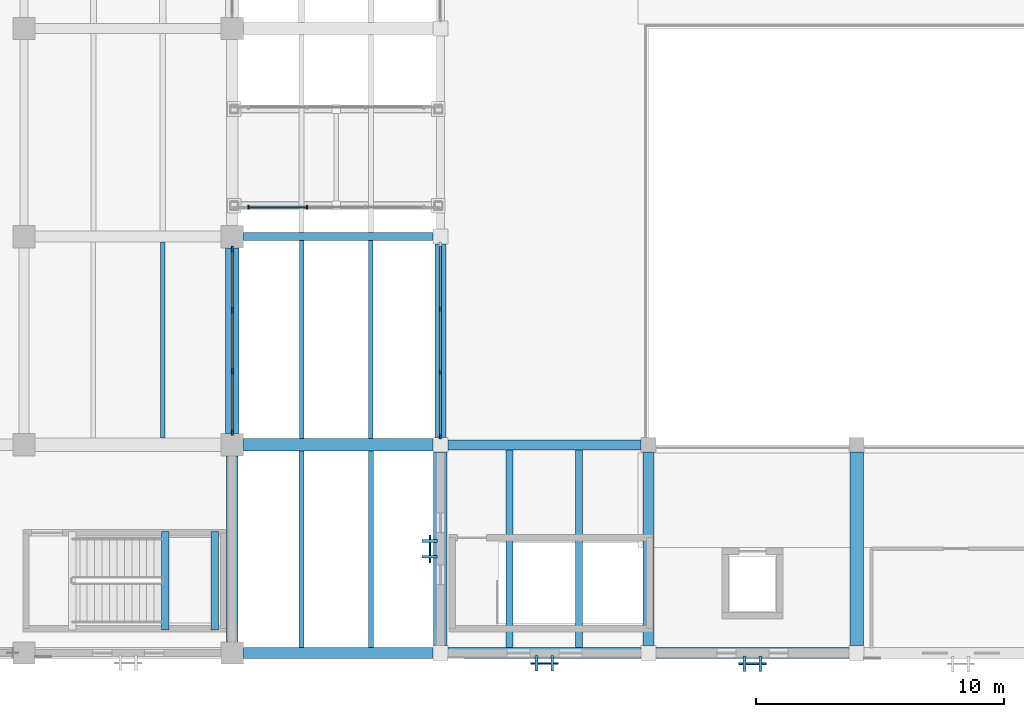
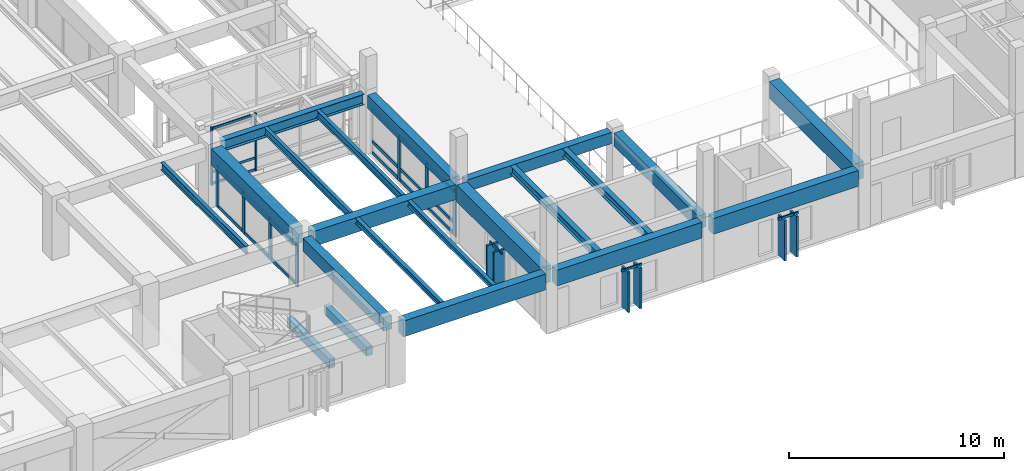
# One storey, part 20 of 118: 36 members, 21 beams, 6 elements without a shape of their own.
"""IFC4 building model written with IfcOpenShell, lengths in metres."""

from ifc_helpers import new_model, si_unit, direction, frame, origin, origin_2d, place, context, subcontext, project, spatial, rectangle, i_section, extrude, material, material_profile, profile_set, type_object, element, aggregate, save


model = new_model("IFC4")

# Units and contexts
model_context = context("Model", 3, precision=1e-05, world=origin(), true_north=direction((0.0, 1.0)))
body_context = subcontext(model_context, "Body", "Model", "MODEL_VIEW")
ifc_project = project(units=[si_unit("LENGTHUNIT", "METRE"), si_unit("AREAUNIT", "SQUARE_METRE"), si_unit("VOLUMEUNIT", "CUBIC_METRE"), si_unit("PLANEANGLEUNIT", "RADIAN"), si_unit("MASSUNIT", "GRAM", prefix="KILO")], contexts=[model_context])

# Site, building, storey
site_placement = place(None, origin())
site = spatial("IfcSite", under=ifc_project, at=site_placement, CompositionType="ELEMENT")
building_placement = place(site_placement, origin())
building = spatial("IfcBuilding", under=site, at=building_placement, Name="Cumbredor Promenade Congress Hotel", CompositionType="ELEMENT")
storey_placement = place(building_placement, frame((0.0, 0.0, 3.919921875)))
storey = spatial("IfcBuildingStorey", under=building, at=storey_placement, Name="L01", CompositionType="ELEMENT", Elevation=3.919921875)

# Beams
ifc_material_1 = material(Name="Concrete C40/50", Category="concrete")
ifc_material_profile_1 = material_profile(ifc_material_1, rectangle(XDim=0.39990234375, YDim=0.64990234375, at=origin_2d()), Name="RC BEAM 400x650")
ifc_profile_set_1 = profile_set([ifc_material_profile_1], Name="Concrete C40/50")
beam_type_1 = type_object("IfcBeamType", Name="BM-RC-400x650", PredefinedType="BEAM", material=ifc_profile_set_1)
beam_1_placement = place(storey_placement, frame((75.89990234375, 16.800048828125, 3.03515625), z_axis=(1.0, 0.0, 0.0), x_axis=(0.0, 1.0, 0.0)))
element("IfcBeam", 1, at=beam_1_placement, inside=storey, type_object=beam_type_1, Name="L02 X-Grid Beam 137", PredefinedType="BEAM", context=body_context, shape_type="SweptSolid", body=[
    extrude(rectangle(XDim=0.39990234375, YDim=0.64990234375, at=origin_2d()), origin(), (0.0, 0.0, 1.0), 7.800048828125),
])
ifc_material_profile_2 = material_profile(ifc_material_1, rectangle(XDim=0.449951171875, YDim=0.75, at=origin_2d()), Name="RC BEAM 450x750")
ifc_profile_set_2 = profile_set([ifc_material_profile_2], Name="Concrete C40/50")
beam_type_2 = type_object("IfcBeamType", Name="BM-RC-450x750", PredefinedType="BEAM", material=ifc_profile_set_2)
beam_2_placement = place(storey_placement, frame((67.199951171875, 8.85009765625, 2.985107421875), z_axis=(0.0, 1.0, 0.0), x_axis=(-1.0, 0.0, 0.0)))
element("IfcBeam", 2, at=beam_2_placement, inside=storey, type_object=beam_type_2, Name="L02 Y-Grid Beam 114", PredefinedType="BEAM", context=body_context, shape_type="SweptSolid", body=[
    extrude(rectangle(XDim=0.449951171875, YDim=0.75, at=origin_2d()), origin(), (0.0, 0.0, 1.0), 7.5),
])
beam_3_placement = place(storey_placement, frame((75.60009765625, 17.10009765625, 2.985107421875), z_axis=(0.0, 1.0, 0.0), x_axis=(-1.0, 0.0, 0.0)))
element("IfcBeam", 3, at=beam_3_placement, inside=storey, type_object=beam_type_2, Name="L02 Y-Grid Beam 138", PredefinedType="BEAM", context=body_context, shape_type="SweptSolid", body=[
    extrude(rectangle(XDim=0.449951171875, YDim=0.75, at=origin_2d()), origin(), (0.0, 0.0, 1.0), 7.7998046875),
])
beam_4_placement = place(storey_placement, frame((84.0, 8.699951171875, 2.985107421875), z_axis=(0.0, 1.0, 0.0), x_axis=(-1.0, 0.0, 0.0)))
element("IfcBeam", 4, at=beam_4_placement, inside=storey, type_object=beam_type_2, Name="L02 Y-Grid Beam 154", PredefinedType="BEAM", context=body_context, shape_type="SweptSolid", body=[
    extrude(rectangle(XDim=0.449951171875, YDim=0.75, at=origin_2d()), origin(), (0.0, 0.0, 1.0), 7.800048828125),
])
ifc_material_profile_3 = material_profile(ifc_material_1, rectangle(XDim=0.5, YDim=0.85009765625, at=origin_2d()), Name="RC BEAM 500x850")
ifc_profile_set_3 = profile_set([ifc_material_profile_3], Name="Concrete C40/50")
beam_type_3 = type_object("IfcBeamType", Name="BM-RC-500x850", PredefinedType="BEAM", material=ifc_profile_set_3)
beam_5_placement = place(storey_placement, frame((67.64990234375, 16.800048828125, 2.93505859375), z_axis=(1.0, 0.0, 0.0), x_axis=(0.0, 1.0, 0.0)))
element("IfcBeam", 5, at=beam_5_placement, inside=storey, type_object=beam_type_3, Name="L02 X-Grid Beam 115", PredefinedType="BEAM", context=body_context, shape_type="SweptSolid", body=[
    extrude(rectangle(XDim=0.5, YDim=0.85009765625, at=origin_2d()), origin(), (0.0, 0.0, 1.0), 7.650146484375),
])
ifc_material_profile_4 = material_profile(ifc_material_1, rectangle(XDim=0.550048828125, YDim=0.949951171875, at=origin_2d()), Name="RC BEAM 550x950")
ifc_profile_set_4 = profile_set([ifc_material_profile_4], Name="Concrete C40/50")
beam_type_4 = type_object("IfcBeamType", Name="BM-RC-550x950", PredefinedType="BEAM", material=ifc_profile_set_4)
beam_6_placement = place(storey_placement, frame((67.199951171875, 17.25, 2.885009765625), z_axis=(0.0, 1.0, 0.0), x_axis=(-1.0, 0.0, 0.0)))
element("IfcBeam", 6, at=beam_6_placement, inside=storey, type_object=beam_type_4, Name="L02 Y-Grid Beam 116", PredefinedType="BEAM", context=body_context, shape_type="SweptSolid", body=[
    extrude(rectangle(XDim=0.550048828125, YDim=0.949951171875, at=origin_2d()), origin(), (0.0, 0.0, 1.0), 7.5),
])
for number, where, z_axis, x_axis, name in (
    (7, (75.60009765625, 8.699951171875, 2.885009765625), (0.0, 1.0, 0.0), (-1.0, 0.0, 0.0), "L02 Y-Grid Beam 136"),
    (8, (92.39990234375, 8.699951171875, 2.885009765625), (0.0, 1.0, 0.0), (-1.0, 0.0, 0.0), "L02 Y-Grid Beam 168"),
):
    element("IfcBeam", number, at=place(storey_placement, frame(where, z_axis=z_axis, x_axis=x_axis)), inside=storey, type_object=beam_type_4, Name=name, PredefinedType="BEAM", context=body_context, shape_type="SweptSolid", body=[
        extrude(rectangle(XDim=0.550048828125, YDim=0.949951171875, at=origin_2d()), origin(), (0.0, 0.0, 1.0), 7.800048828125),
    ])
ifc_material_2 = material(Name="Steel ASTM A992 Grade 50", Category="steel")
ifc_material_profile_5 = material_profile(ifc_material_2, i_section(OverallWidth=0.323974609375, OverallDepth=0.611083984375, WebThickness=0.0126953125, FlangeThickness=0.01904296875, at=origin_2d()), Name="W24X104")
ifc_profile_set_5 = profile_set([ifc_material_profile_5], Name="Steel ASTM A992 Grade 50")
beam_type_5 = type_object("IfcBeamType", Name="BM-W24X104", PredefinedType="BEAM", material=ifc_profile_set_5)
beam_7_placement = place(storey_placement, frame((67.64990234375, 25.199951171875, 3.0546875), z_axis=(1.0, 0.0, 0.0), x_axis=(0.0, 1.0, 0.0)))
element("IfcBeam", 9, at=beam_7_placement, inside=storey, type_object=beam_type_5, Name="L02 X-Grid Beam 117", PredefinedType="BEAM", context=body_context, shape_type="SweptSolid", body=[
    extrude(i_section(OverallWidth=0.323974609375, OverallDepth=0.611083984375, WebThickness=0.0126953125, FlangeThickness=0.01904296875, at=origin_2d()), origin(), (0.0, 0.0, 1.0), 7.650146484375),
])

# Curtain wall, members
ifc_material_3 = material(Name="Thermally broken anodized aluminium and low-E glass", Category="aluminium")
curtain_wall_type_1 = type_object("IfcCurtainWallType", Name="Unitised Bridge Glazing Screen CW-05", PredefinedType="NOTDEFINED", material=ifc_material_3)
curtain_wall_1_placement = place(storey_placement, origin())
curtain_wall_1 = element("IfcCurtainWall", 10, at=curtain_wall_1_placement, inside=storey, type_object=curtain_wall_type_1, Name="L01 Central Plenary-to-Spa Pool Bridge South Glazing Screen", PredefinedType="NOTDEFINED")
ifc_material_4 = material(Name="Thermally broken anodized aluminium", Category="aluminium")
ifc_material_profile_6 = material_profile(ifc_material_4, rectangle(XDim=0.06494140625, YDim=0.159912109375, at=origin_2d()), Name="ALU MULLION 65x160")
ifc_profile_set_6 = profile_set([ifc_material_profile_6], Name="Thermally broken anodized aluminium")
member_type_1 = type_object("IfcMemberType", Name="Curtain Wall Mullion ML-01", PredefinedType="MULLION", material=ifc_profile_set_6)
member_1_placement = place(storey_placement, frame((67.860107421875, 26.3798828125, -0.0078125), z_axis=(0.0, 0.0, 1.0), x_axis=(1.0, 0.0, 0.0)))
member_1 = element("IfcMember", 11, at=member_1_placement, type_object=member_type_1, Name="L01 Central Plenary-to-Spa Pool Bridge South Glazing Screen Mullion 1", PredefinedType="MULLION", context=body_context, shape_type="SweptSolid", body=[
    extrude(rectangle(XDim=0.06494140625, YDim=0.159912109375, at=origin_2d()), origin(), (0.0, 0.0, 1.0), 3.27587890625),
])
member_2_placement = place(storey_placement, frame((70.219970703125, 26.3798828125, -0.0078125), z_axis=(0.0, 0.0, 1.0), x_axis=(1.0, 0.0, 0.0)))
member_2 = element("IfcMember", 12, at=member_2_placement, type_object=member_type_1, Name="L01 Central Plenary-to-Spa Pool Bridge South Glazing Screen Mullion 2", PredefinedType="MULLION", context=body_context, shape_type="SweptSolid", body=[
    extrude(rectangle(XDim=0.06494140625, YDim=0.159912109375, at=origin_2d()), origin(), (0.0, 0.0, 1.0), 3.27587890625),
])

curtain_wall_type_2 = type_object("IfcCurtainWallType", Name="Unitised Bronze Curtain Wall CW-01", PredefinedType="NOTDEFINED", material=ifc_material_3)
curtain_wall_2_placement = place(storey_placement, origin())
curtain_wall_2 = element("IfcCurtainWall", 13, at=curtain_wall_2_placement, inside=storey, type_object=curtain_wall_type_2, Name="L01 Plenary Congress Hall East Curtain Wall 2", PredefinedType="NOTDEFINED")
ifc_material_profile_7 = material_profile(ifc_material_4, rectangle(XDim=0.080078125, YDim=0.239990234375, at=origin_2d()), Name="ALU MULLION 80x240")
ifc_profile_set_7 = profile_set([ifc_material_profile_7], Name="Thermally broken anodized aluminium")
member_type_2 = type_object("IfcMemberType", Name="Curtain Wall Mullion ML-03", PredefinedType="MULLION", material=ifc_profile_set_7)
member_3_placement = place(storey_placement, frame((67.199951171875, 17.304931640625, -0.0078125), z_axis=(0.0, 0.0, 1.0), x_axis=(1.0, 0.0, 0.0)))
member_3 = element("IfcMember", 14, at=member_3_placement, type_object=member_type_2, Name="L01 Plenary Congress Hall East Curtain Wall 2 Mullion 1", PredefinedType="MULLION", context=body_context, shape_type="SweptSolid", body=[
    extrude(rectangle(XDim=0.080078125, YDim=0.239990234375, at=origin_2d()), origin(), (0.0, 0.0, 1.0), 2.410888671875),
])
member_4_placement = place(storey_placement, frame((67.199951171875, 19.768310546875, -0.0078125), z_axis=(0.0, 0.0, 1.0), x_axis=(1.0, 0.0, 0.0)))
member_4 = element("IfcMember", 15, at=member_4_placement, type_object=member_type_2, Name="L01 Plenary Congress Hall East Curtain Wall 2 Mullion 2", PredefinedType="MULLION", context=body_context, shape_type="SweptSolid", body=[
    extrude(rectangle(XDim=0.080078125, YDim=0.239990234375, at=origin_2d()), origin(), (0.0, 0.0, 1.0), 2.410888671875),
])
member_5_placement = place(storey_placement, frame((67.199951171875, 22.231689453125, -0.0078125), z_axis=(0.0, 0.0, 1.0), x_axis=(1.0, 0.0, 0.0)))
member_5 = element("IfcMember", 16, at=member_5_placement, type_object=member_type_2, Name="L01 Plenary Congress Hall East Curtain Wall 2 Mullion 3", PredefinedType="MULLION", context=body_context, shape_type="SweptSolid", body=[
    extrude(rectangle(XDim=0.080078125, YDim=0.239990234375, at=origin_2d()), origin(), (0.0, 0.0, 1.0), 2.410888671875),
])
member_6_placement = place(storey_placement, frame((67.199951171875, 24.695068359375, -0.0078125), z_axis=(0.0, 0.0, 1.0), x_axis=(1.0, 0.0, 0.0)))
member_6 = element("IfcMember", 17, at=member_6_placement, type_object=member_type_2, Name="L01 Plenary Congress Hall East Curtain Wall 2 Mullion 4", PredefinedType="MULLION", context=body_context, shape_type="SweptSolid", body=[
    extrude(rectangle(XDim=0.080078125, YDim=0.239990234375, at=origin_2d()), origin(), (0.0, 0.0, 1.0), 2.410888671875),
])

curtain_wall_3_placement = place(storey_placement, origin())
curtain_wall_3 = element("IfcCurtainWall", 18, at=curtain_wall_3_placement, inside=storey, type_object=curtain_wall_type_2, Name="L01 Thermal Spa and Hydrotherapy Pavilion West Curtain Wall 2", PredefinedType="NOTDEFINED")
member_7_placement = place(storey_placement, frame((75.60009765625, 17.155029296875, -0.0078125), z_axis=(0.0, 0.0, 1.0), x_axis=(1.0, 0.0, 0.0)))
member_7 = element("IfcMember", 19, at=member_7_placement, type_object=member_type_2, Name="L01 Thermal Spa and Hydrotherapy Pavilion West Curtain Wall 2 Mullion 1", PredefinedType="MULLION", context=body_context, shape_type="SweptSolid", body=[
    extrude(rectangle(XDim=0.080078125, YDim=0.239990234375, at=origin_2d()), origin(), (0.0, 0.0, 1.0), 2.61083984375),
])
member_8_placement = place(storey_placement, frame((75.60009765625, 19.71826171875, -0.0078125), z_axis=(0.0, 0.0, 1.0), x_axis=(1.0, 0.0, 0.0)))
member_8 = element("IfcMember", 20, at=member_8_placement, type_object=member_type_2, Name="L01 Thermal Spa and Hydrotherapy Pavilion West Curtain Wall 2 Mullion 2", PredefinedType="MULLION", context=body_context, shape_type="SweptSolid", body=[
    extrude(rectangle(XDim=0.080078125, YDim=0.239990234375, at=origin_2d()), origin(), (0.0, 0.0, 1.0), 2.61083984375),
])
member_9_placement = place(storey_placement, frame((75.60009765625, 22.28173828125, -0.0078125), z_axis=(0.0, 0.0, 1.0), x_axis=(1.0, 0.0, 0.0)))
member_9 = element("IfcMember", 21, at=member_9_placement, type_object=member_type_2, Name="L01 Thermal Spa and Hydrotherapy Pavilion West Curtain Wall 2 Mullion 3", PredefinedType="MULLION", context=body_context, shape_type="SweptSolid", body=[
    extrude(rectangle(XDim=0.080078125, YDim=0.239990234375, at=origin_2d()), origin(), (0.0, 0.0, 1.0), 2.61083984375),
])

# Curtain wall, member
curtain_wall_type_3 = type_object("IfcCurtainWallType", Name="Solar Brise-Soleil Screen Assembly CW-07", PredefinedType="NOTDEFINED", material=ifc_material_3)
curtain_wall_4_placement = place(storey_placement, origin())
curtain_wall_4 = element("IfcCurtainWall", 22, at=curtain_wall_4_placement, inside=storey, type_object=curtain_wall_type_3, Name="L01 Pier Brise-Soleil Screen 0184", PredefinedType="NOTDEFINED")
ifc_material_profile_8 = material_profile(ifc_material_4, rectangle(XDim=0.06494140625, YDim=0.1298828125, at=origin_2d()), Name="ALU TRANSOM 65x130")
ifc_profile_set_8 = profile_set([ifc_material_profile_8], Name="Thermally broken anodized aluminium")
member_type_3 = type_object("IfcMemberType", Name="Curtain Wall Transom TR-01", PredefinedType="USERDEFINED", material=ifc_profile_set_8)
member_10_placement = place(storey_placement, frame((79.25, 7.9775390625, 2.28515625), z_axis=(1.0, 0.0, 0.0), x_axis=(0.0, 1.0, 0.0)))
member_10 = element("IfcMember", 23, at=member_10_placement, type_object=member_type_3, Name="L01 Pier Brise-Soleil Header 0186", ObjectType="TRANSOM", PredefinedType="USERDEFINED", context=body_context, shape_type="SweptSolid", body=[
    extrude(rectangle(XDim=0.06494140625, YDim=0.1298828125, at=origin_2d()), origin(), (0.0, 0.0, 1.0), 1.10009765625),
])

curtain_wall_5_placement = place(storey_placement, origin())
curtain_wall_5 = element("IfcCurtainWall", 24, at=curtain_wall_5_placement, inside=storey, type_object=curtain_wall_type_3, Name="L01 Pier Brise-Soleil Screen 0187", PredefinedType="NOTDEFINED")
member_11_placement = place(storey_placement, frame((87.64990234375, 7.965087890625, 2.28515625), z_axis=(1.0, 0.0, 0.0), x_axis=(0.0, 1.0, 0.0)))
member_11 = element("IfcMember", 25, at=member_11_placement, type_object=member_type_3, Name="L01 Pier Brise-Soleil Header 0189", ObjectType="TRANSOM", PredefinedType="USERDEFINED", context=body_context, shape_type="SweptSolid", body=[
    extrude(rectangle(XDim=0.06494140625, YDim=0.1298828125, at=origin_2d()), origin(), (0.0, 0.0, 1.0), 1.10009765625),
])

curtain_wall_6_placement = place(storey_placement, origin())
curtain_wall_6 = element("IfcCurtainWall", 26, at=curtain_wall_6_placement, inside=storey, type_object=curtain_wall_type_3, Name="L01 Pier Brise-Soleil Screen 0205", PredefinedType="NOTDEFINED")
member_12_placement = place(storey_placement, frame((75.177490234375, 12.050048828125, 2.235107421875), z_axis=(0.0, 1.0, 0.0), x_axis=(-1.0, 0.0, 0.0)))
member_12 = element("IfcMember", 27, at=member_12_placement, type_object=member_type_3, Name="L01 Pier Brise-Soleil Header 0207", ObjectType="TRANSOM", PredefinedType="USERDEFINED", context=body_context, shape_type="SweptSolid", body=[
    extrude(rectangle(XDim=0.06494140625, YDim=0.1298828125, at=origin_2d()), origin(), (0.0, 0.0, 1.0), 1.099853515625),
])

# Member
member_13_placement = place(storey_placement, frame((67.892578125, 26.3798828125, 0.06005859375), z_axis=(1.0, 0.0, 0.0), x_axis=(0.0, 1.0, 0.0)))
member_13 = element("IfcMember", 28, at=member_13_placement, type_object=member_type_3, Name="L01 Central Plenary-to-Spa Pool Bridge South Glazing Screen Transom 1.1", ObjectType="TRANSOM", PredefinedType="USERDEFINED", context=body_context, shape_type="SweptSolid", body=[
    extrude(rectangle(XDim=0.06494140625, YDim=0.1298828125, at=origin_2d()), origin(), (0.0, 0.0, 1.0), 2.294921875),
])

member_14_placement = place(storey_placement, frame((67.892578125, 26.3798828125, 0.719970703125), z_axis=(1.0, 0.0, 0.0), x_axis=(0.0, 1.0, 0.0)))
member_14 = element("IfcMember", 29, at=member_14_placement, type_object=member_type_3, Name="L01 Central Plenary-to-Spa Pool Bridge South Glazing Screen Transom 1.2", ObjectType="TRANSOM", PredefinedType="USERDEFINED", context=body_context, shape_type="SweptSolid", body=[
    extrude(rectangle(XDim=0.06494140625, YDim=0.1298828125, at=origin_2d()), origin(), (0.0, 0.0, 1.0), 2.294921875),
])

member_15_placement = place(storey_placement, frame((67.892578125, 26.3798828125, 3.190185546875), z_axis=(1.0, 0.0, 0.0), x_axis=(0.0, 1.0, 0.0)))
member_15 = element("IfcMember", 30, at=member_15_placement, type_object=member_type_3, Name="L01 Central Plenary-to-Spa Pool Bridge South Glazing Screen Transom 1.3", ObjectType="TRANSOM", PredefinedType="USERDEFINED", context=body_context, shape_type="SweptSolid", body=[
    extrude(rectangle(XDim=0.06494140625, YDim=0.1298828125, at=origin_2d()), origin(), (0.0, 0.0, 1.0), 2.294921875),
])

aggregate(curtain_wall_1, [member_1, member_2, member_13, member_14, member_15])

ifc_material_profile_9 = material_profile(ifc_material_4, rectangle(XDim=0.080078125, YDim=0.179931640625, at=origin_2d()), Name="ALU TRANSOM 80x180")
ifc_profile_set_9 = profile_set([ifc_material_profile_9], Name="Thermally broken anodized aluminium")
member_type_4 = type_object("IfcMemberType", Name="Curtain Wall Transom TR-03", PredefinedType="USERDEFINED", material=ifc_profile_set_9)
member_16_placement = place(storey_placement, frame((67.199951171875, 17.344970703125, 0.090087890625), z_axis=(0.0, 1.0, 0.0), x_axis=(-1.0, 0.0, 0.0)))
member_16 = element("IfcMember", 31, at=member_16_placement, type_object=member_type_4, Name="L01 Plenary Congress Hall East Curtain Wall 2 Transom 1.1", ObjectType="TRANSOM", PredefinedType="USERDEFINED", context=body_context, shape_type="SweptSolid", body=[
    extrude(rectangle(XDim=0.080078125, YDim=0.179931640625, at=origin_2d()), origin(), (0.0, 0.0, 1.0), 2.38330078125),
])

member_17_placement = place(storey_placement, frame((67.199951171875, 17.344970703125, 2.31005859375), z_axis=(0.0, 1.0, 0.0), x_axis=(-1.0, 0.0, 0.0)))
member_17 = element("IfcMember", 32, at=member_17_placement, type_object=member_type_4, Name="L01 Plenary Congress Hall East Curtain Wall 2 Transom 1.2", ObjectType="TRANSOM", PredefinedType="USERDEFINED", context=body_context, shape_type="SweptSolid", body=[
    extrude(rectangle(XDim=0.080078125, YDim=0.179931640625, at=origin_2d()), origin(), (0.0, 0.0, 1.0), 2.38330078125),
])

member_18_placement = place(storey_placement, frame((67.199951171875, 19.808349609375, 0.090087890625), z_axis=(0.0, 1.0, 0.0), x_axis=(-1.0, 0.0, 0.0)))
member_18 = element("IfcMember", 33, at=member_18_placement, type_object=member_type_4, Name="L01 Plenary Congress Hall East Curtain Wall 2 Transom 2.1", ObjectType="TRANSOM", PredefinedType="USERDEFINED", context=body_context, shape_type="SweptSolid", body=[
    extrude(rectangle(XDim=0.080078125, YDim=0.179931640625, at=origin_2d()), origin(), (0.0, 0.0, 1.0), 2.38330078125),
])

member_19_placement = place(storey_placement, frame((67.199951171875, 19.808349609375, 2.31005859375), z_axis=(0.0, 1.0, 0.0), x_axis=(-1.0, 0.0, 0.0)))
member_19 = element("IfcMember", 34, at=member_19_placement, type_object=member_type_4, Name="L01 Plenary Congress Hall East Curtain Wall 2 Transom 2.2", ObjectType="TRANSOM", PredefinedType="USERDEFINED", context=body_context, shape_type="SweptSolid", body=[
    extrude(rectangle(XDim=0.080078125, YDim=0.179931640625, at=origin_2d()), origin(), (0.0, 0.0, 1.0), 2.38330078125),
])

member_20_placement = place(storey_placement, frame((67.199951171875, 22.271728515625, 0.090087890625), z_axis=(0.0, 1.0, 0.0), x_axis=(-1.0, 0.0, 0.0)))
member_20 = element("IfcMember", 35, at=member_20_placement, type_object=member_type_4, Name="L01 Plenary Congress Hall East Curtain Wall 2 Transom 3.1", ObjectType="TRANSOM", PredefinedType="USERDEFINED", context=body_context, shape_type="SweptSolid", body=[
    extrude(rectangle(XDim=0.080078125, YDim=0.179931640625, at=origin_2d()), origin(), (0.0, 0.0, 1.0), 2.38330078125),
])

member_21_placement = place(storey_placement, frame((67.199951171875, 22.271728515625, 2.31005859375), z_axis=(0.0, 1.0, 0.0), x_axis=(-1.0, 0.0, 0.0)))
member_21 = element("IfcMember", 36, at=member_21_placement, type_object=member_type_4, Name="L01 Plenary Congress Hall East Curtain Wall 2 Transom 3.2", ObjectType="TRANSOM", PredefinedType="USERDEFINED", context=body_context, shape_type="SweptSolid", body=[
    extrude(rectangle(XDim=0.080078125, YDim=0.179931640625, at=origin_2d()), origin(), (0.0, 0.0, 1.0), 2.38330078125),
])

aggregate(curtain_wall_2, [member_3, member_4, member_5, member_6, member_16, member_17, member_18, member_19, member_20, member_21])

member_22_placement = place(storey_placement, frame((75.60009765625, 17.195068359375, 0.090087890625), z_axis=(0.0, 1.0, 0.0), x_axis=(-1.0, 0.0, 0.0)))
member_22 = element("IfcMember", 37, at=member_22_placement, type_object=member_type_4, Name="L01 Thermal Spa and Hydrotherapy Pavilion West Curtain Wall 2 Transom 1.1", ObjectType="TRANSOM", PredefinedType="USERDEFINED", context=body_context, shape_type="SweptSolid", body=[
    extrude(rectangle(XDim=0.080078125, YDim=0.179931640625, at=origin_2d()), origin(), (0.0, 0.0, 1.0), 2.483154296875),
])

member_23_placement = place(storey_placement, frame((75.60009765625, 17.195068359375, 0.719970703125), z_axis=(0.0, 1.0, 0.0), x_axis=(-1.0, 0.0, 0.0)))
member_23 = element("IfcMember", 38, at=member_23_placement, type_object=member_type_4, Name="L01 Thermal Spa and Hydrotherapy Pavilion West Curtain Wall 2 Transom 1.2", ObjectType="TRANSOM", PredefinedType="USERDEFINED", context=body_context, shape_type="SweptSolid", body=[
    extrude(rectangle(XDim=0.080078125, YDim=0.179931640625, at=origin_2d()), origin(), (0.0, 0.0, 1.0), 2.483154296875),
])

member_24_placement = place(storey_placement, frame((75.60009765625, 17.195068359375, 2.5), z_axis=(0.0, 1.0, 0.0), x_axis=(-1.0, 0.0, 0.0)))
member_24 = element("IfcMember", 39, at=member_24_placement, type_object=member_type_4, Name="L01 Thermal Spa and Hydrotherapy Pavilion West Curtain Wall 2 Transom 1.3", ObjectType="TRANSOM", PredefinedType="USERDEFINED", context=body_context, shape_type="SweptSolid", body=[
    extrude(rectangle(XDim=0.080078125, YDim=0.179931640625, at=origin_2d()), origin(), (0.0, 0.0, 1.0), 2.483154296875),
])

member_25_placement = place(storey_placement, frame((75.60009765625, 19.75830078125, 0.090087890625), z_axis=(0.0, 1.0, 0.0), x_axis=(-1.0, 0.0, 0.0)))
member_25 = element("IfcMember", 40, at=member_25_placement, type_object=member_type_4, Name="L01 Thermal Spa and Hydrotherapy Pavilion West Curtain Wall 2 Transom 2.1", ObjectType="TRANSOM", PredefinedType="USERDEFINED", context=body_context, shape_type="SweptSolid", body=[
    extrude(rectangle(XDim=0.080078125, YDim=0.179931640625, at=origin_2d()), origin(), (0.0, 0.0, 1.0), 2.4833984375),
])

member_26_placement = place(storey_placement, frame((75.60009765625, 19.75830078125, 0.719970703125), z_axis=(0.0, 1.0, 0.0), x_axis=(-1.0, 0.0, 0.0)))
member_26 = element("IfcMember", 41, at=member_26_placement, type_object=member_type_4, Name="L01 Thermal Spa and Hydrotherapy Pavilion West Curtain Wall 2 Transom 2.2", ObjectType="TRANSOM", PredefinedType="USERDEFINED", context=body_context, shape_type="SweptSolid", body=[
    extrude(rectangle(XDim=0.080078125, YDim=0.179931640625, at=origin_2d()), origin(), (0.0, 0.0, 1.0), 2.4833984375),
])

member_27_placement = place(storey_placement, frame((75.60009765625, 19.75830078125, 2.5), z_axis=(0.0, 1.0, 0.0), x_axis=(-1.0, 0.0, 0.0)))
member_27 = element("IfcMember", 42, at=member_27_placement, type_object=member_type_4, Name="L01 Thermal Spa and Hydrotherapy Pavilion West Curtain Wall 2 Transom 2.3", ObjectType="TRANSOM", PredefinedType="USERDEFINED", context=body_context, shape_type="SweptSolid", body=[
    extrude(rectangle(XDim=0.080078125, YDim=0.179931640625, at=origin_2d()), origin(), (0.0, 0.0, 1.0), 2.4833984375),
])

member_28_placement = place(storey_placement, frame((75.60009765625, 22.32177734375, 0.090087890625), z_axis=(0.0, 1.0, 0.0), x_axis=(-1.0, 0.0, 0.0)))
member_28 = element("IfcMember", 43, at=member_28_placement, type_object=member_type_4, Name="L01 Thermal Spa and Hydrotherapy Pavilion West Curtain Wall 2 Transom 3.1", ObjectType="TRANSOM", PredefinedType="USERDEFINED", context=body_context, shape_type="SweptSolid", body=[
    extrude(rectangle(XDim=0.080078125, YDim=0.179931640625, at=origin_2d()), origin(), (0.0, 0.0, 1.0), 2.483154296875),
])

member_29_placement = place(storey_placement, frame((75.60009765625, 22.32177734375, 0.719970703125), z_axis=(0.0, 1.0, 0.0), x_axis=(-1.0, 0.0, 0.0)))
member_29 = element("IfcMember", 44, at=member_29_placement, type_object=member_type_4, Name="L01 Thermal Spa and Hydrotherapy Pavilion West Curtain Wall 2 Transom 3.2", ObjectType="TRANSOM", PredefinedType="USERDEFINED", context=body_context, shape_type="SweptSolid", body=[
    extrude(rectangle(XDim=0.080078125, YDim=0.179931640625, at=origin_2d()), origin(), (0.0, 0.0, 1.0), 2.483154296875),
])

member_30_placement = place(storey_placement, frame((75.60009765625, 22.32177734375, 2.5), z_axis=(0.0, 1.0, 0.0), x_axis=(-1.0, 0.0, 0.0)))
member_30 = element("IfcMember", 45, at=member_30_placement, type_object=member_type_4, Name="L01 Thermal Spa and Hydrotherapy Pavilion West Curtain Wall 2 Transom 3.3", ObjectType="TRANSOM", PredefinedType="USERDEFINED", context=body_context, shape_type="SweptSolid", body=[
    extrude(rectangle(XDim=0.080078125, YDim=0.179931640625, at=origin_2d()), origin(), (0.0, 0.0, 1.0), 2.483154296875),
])

aggregate(curtain_wall_3, [member_7, member_8, member_9, member_22, member_23, member_24, member_25, member_26, member_27, member_28, member_29, member_30])

# Beams
ifc_material_profile_10 = material_profile(ifc_material_2, i_section(OverallWidth=0.202880859375, OverallDepth=0.302978515625, WebThickness=0.007568359375, FlangeThickness=0.01318359375, at=origin_2d()), Name="W12X40")
ifc_profile_set_10 = profile_set([ifc_material_profile_10], Name="Steel ASTM A992 Grade 50")
beam_type_6 = type_object("IfcBeamType", Name="JST-W12X40", PredefinedType="JOIST", material=ifc_profile_set_10)
for number, where, z_axis, x_axis, name in (
    (46, (70.0, 8.625, 3.20849609375), (0.0, 1.0, 0.0), (-1.0, 0.0, 0.0), "L02 Secondary Floor Joist 0062"),
    (47, (72.800048828125, 8.625, 3.20849609375), (0.0, 1.0, 0.0), (-1.0, 0.0, 0.0), "L02 Secondary Floor Joist 0063"),
):
    element("IfcBeam", number, at=place(storey_placement, frame(where, z_axis=z_axis, x_axis=x_axis)), inside=storey, type_object=beam_type_6, Name=name, PredefinedType="JOIST", context=body_context, shape_type="SweptSolid", body=[
        extrude(i_section(OverallWidth=0.202880859375, OverallDepth=0.302978515625, WebThickness=0.007568359375, FlangeThickness=0.01318359375, at=origin_2d()), origin(), (0.0, 0.0, 1.0), 7.925048828125),
    ])
ifc_material_profile_11 = material_profile(ifc_material_2, i_section(OverallWidth=0.180908203125, OverallDepth=0.4169921875, WebThickness=0.010986328125, FlangeThickness=0.018310546875, at=origin_2d()), Name="W16X57")
ifc_profile_set_11 = profile_set([ifc_material_profile_11], Name="Steel ASTM A992 Grade 50")
beam_type_7 = type_object("IfcBeamType", Name="JST-W16X57", PredefinedType="JOIST", material=ifc_profile_set_11)
beam_8_placement = place(storey_placement, frame((64.39990234375, 17.074951171875, 3.151611328125), z_axis=(0.0, 1.0, 0.0), x_axis=(-1.0, 0.0, 0.0)))
element("IfcBeam", 48, at=beam_8_placement, inside=storey, type_object=beam_type_7, Name="L02 Secondary Floor Joist 0045", PredefinedType="JOIST", context=body_context, shape_type="SweptSolid", body=[
    extrude(i_section(OverallWidth=0.180908203125, OverallDepth=0.4169921875, WebThickness=0.010986328125, FlangeThickness=0.018310546875, at=origin_2d()), origin(), (0.0, 0.0, 1.0), 7.900146484375),
])
for number, where, z_axis, x_axis, name in (
    (49, (70.0, 17.050048828125, 3.151611328125), (0.0, 1.0, 0.0), (-1.0, 0.0, 0.0), "L02 Secondary Floor Joist 0064"),
    (50, (72.800048828125, 17.050048828125, 3.151611328125), (0.0, 1.0, 0.0), (-1.0, 0.0, 0.0), "L02 Secondary Floor Joist 0065"),
):
    element("IfcBeam", number, at=place(storey_placement, frame(where, z_axis=z_axis, x_axis=x_axis)), inside=storey, type_object=beam_type_7, Name=name, PredefinedType="JOIST", context=body_context, shape_type="SweptSolid", body=[
        extrude(i_section(OverallWidth=0.180908203125, OverallDepth=0.4169921875, WebThickness=0.010986328125, FlangeThickness=0.018310546875, at=origin_2d()), origin(), (0.0, 0.0, 1.0), 7.988037109375),
    ])
ifc_material_profile_12 = material_profile(ifc_material_2, i_section(OverallWidth=0.280029296875, OverallDepth=0.462890625, WebThickness=0.0107421875, FlangeThickness=0.017333984375, at=origin_2d()), Name="W18X76")
ifc_profile_set_12 = profile_set([ifc_material_profile_12], Name="Steel ASTM A992 Grade 50")
beam_type_8 = type_object("IfcBeamType", Name="JST-W18X76", PredefinedType="JOIST", material=ifc_profile_set_12)
for number, where, z_axis, x_axis, name in (
    (51, (78.39990234375, 8.625, 3.128662109375), (0.0, 1.0, 0.0), (-1.0, 0.0, 0.0), "L02 Secondary Floor Joist 0080"),
    (52, (81.199951171875, 8.625, 3.128662109375), (0.0, 1.0, 0.0), (-1.0, 0.0, 0.0), "L02 Secondary Floor Joist 0081"),
):
    element("IfcBeam", number, at=place(storey_placement, frame(where, z_axis=z_axis, x_axis=x_axis)), inside=storey, type_object=beam_type_8, Name=name, PredefinedType="JOIST", context=body_context, shape_type="SweptSolid", body=[
        extrude(i_section(OverallWidth=0.280029296875, OverallDepth=0.462890625, WebThickness=0.0107421875, FlangeThickness=0.017333984375, at=origin_2d()), origin(), (0.0, 0.0, 1.0), 7.97509765625),
    ])
ifc_material_profile_13 = material_profile(ifc_material_1, rectangle(XDim=0.300048828125, YDim=0.5, at=origin_2d()), Name="RC LINTEL 300x500")
ifc_profile_set_13 = profile_set([ifc_material_profile_13], Name="Concrete C40/50")
beam_type_9 = type_object("IfcBeamType", Name="LN-RC-300x500", PredefinedType="LINTEL", material=ifc_profile_set_13)
for number, where, z_axis, x_axis, name in (
    (53, (66.5, 9.330078125, 1.3701171875), (0.0, 1.0, 0.0), (-1.0, 0.0, 0.0), "L01 Stair ST-05 Landing Ledger Beam E"),
    (54, (64.5, 9.330078125, 1.3701171875), (0.0, 1.0, 0.0), (-1.0, 0.0, 0.0), "L01 Stair ST-05 Landing Ledger Beam W"),
):
    element("IfcBeam", number, at=place(storey_placement, frame(where, z_axis=z_axis, x_axis=x_axis)), inside=storey, type_object=beam_type_9, Name=name, PredefinedType="LINTEL", context=body_context, shape_type="SweptSolid", body=[
        extrude(rectangle(XDim=0.300048828125, YDim=0.5, at=origin_2d()), origin(), (0.0, 0.0, 1.0), 3.969970703125),
    ])
ifc_material_profile_14 = material_profile(ifc_material_1, rectangle(XDim=0.449951171875, YDim=0.89990234375, at=origin_2d()), Name="RC SPANDREL 450x900")
ifc_profile_set_14 = profile_set([ifc_material_profile_14], Name="Concrete C40/50")
beam_type_10 = type_object("IfcBeamType", Name="SP-RC-450x900", PredefinedType="SPANDREL", material=ifc_profile_set_14)
beam_9_placement = place(storey_placement, frame((67.64990234375, 8.39990234375, 2.91015625), z_axis=(1.0, 0.0, 0.0), x_axis=(0.0, 1.0, 0.0)))
element("IfcBeam", 55, at=beam_9_placement, inside=storey, type_object=beam_type_10, Name="L02 X-Grid Beam 113", PredefinedType="SPANDREL", context=body_context, shape_type="SweptSolid", body=[
    extrude(rectangle(XDim=0.449951171875, YDim=0.89990234375, at=origin_2d()), origin(), (0.0, 0.0, 1.0), 7.650146484375),
])
for number, where, z_axis, x_axis, name in (
    (56, (75.89990234375, 8.39990234375, 2.91015625), (1.0, 0.0, 0.0), (0.0, 1.0, 0.0), "L02 X-Grid Beam 135"),
    (57, (84.300048828125, 8.39990234375, 2.91015625), (1.0, 0.0, 0.0), (0.0, 1.0, 0.0), "L02 X-Grid Beam 153"),
):
    element("IfcBeam", number, at=place(storey_placement, frame(where, z_axis=z_axis, x_axis=x_axis)), inside=storey, type_object=beam_type_10, Name=name, PredefinedType="SPANDREL", context=body_context, shape_type="SweptSolid", body=[
        extrude(rectangle(XDim=0.449951171875, YDim=0.89990234375, at=origin_2d()), origin(), (0.0, 0.0, 1.0), 7.800048828125),
    ])

# Member
ifc_material_profile_15 = material_profile(ifc_material_4, rectangle(XDim=0.110107421875, YDim=0.6201171875, at=origin_2d()), Name="ARCH FIN 110x620")
ifc_profile_set_15 = profile_set([ifc_material_profile_15], Name="Thermally broken anodized aluminium")
member_type_5 = type_object("IfcMemberType", Name="Vertical Bronze Brise-Soleil Fin BSF-02 110x620", PredefinedType="USERDEFINED", material=ifc_profile_set_15)
member_31_placement = place(storey_placement, frame((79.47998046875, 7.9775390625, 0.02001953125), z_axis=(0.0, 0.0, 1.0), x_axis=(1.0, 0.0, 0.0)))
member_31 = element("IfcMember", 58, at=member_31_placement, type_object=member_type_5, Name="L01 Pier Brise-Soleil Fin 0185", ObjectType="SOLAR FIN", PredefinedType="USERDEFINED", context=body_context, shape_type="SweptSolid", body=[
    extrude(rectangle(XDim=0.110107421875, YDim=0.6201171875, at=origin_2d()), origin(), (0.0, 0.0, 1.0), 2.30517578125),
])

member_32_placement = place(storey_placement, frame((80.1201171875, 7.9775390625, 0.02001953125), z_axis=(0.0, 0.0, 1.0), x_axis=(1.0, 0.0, 0.0)))
member_32 = element("IfcMember", 59, at=member_32_placement, type_object=member_type_5, Name="L01 Pier Brise-Soleil Fin 0186", ObjectType="SOLAR FIN", PredefinedType="USERDEFINED", context=body_context, shape_type="SweptSolid", body=[
    extrude(rectangle(XDim=0.110107421875, YDim=0.6201171875, at=origin_2d()), origin(), (0.0, 0.0, 1.0), 2.30517578125),
])

aggregate(curtain_wall_4, [member_31, member_32, member_10])

member_33_placement = place(storey_placement, frame((87.8798828125, 7.965087890625, 0.02001953125), z_axis=(0.0, 0.0, 1.0), x_axis=(1.0, 0.0, 0.0)))
member_33 = element("IfcMember", 60, at=member_33_placement, type_object=member_type_5, Name="L01 Pier Brise-Soleil Fin 0188", ObjectType="SOLAR FIN", PredefinedType="USERDEFINED", context=body_context, shape_type="SweptSolid", body=[
    extrude(rectangle(XDim=0.110107421875, YDim=0.6201171875, at=origin_2d()), origin(), (0.0, 0.0, 1.0), 2.30517578125),
])

member_34_placement = place(storey_placement, frame((88.52001953125, 7.965087890625, 0.02001953125), z_axis=(0.0, 0.0, 1.0), x_axis=(1.0, 0.0, 0.0)))
member_34 = element("IfcMember", 61, at=member_34_placement, type_object=member_type_5, Name="L01 Pier Brise-Soleil Fin 0189", ObjectType="SOLAR FIN", PredefinedType="USERDEFINED", context=body_context, shape_type="SweptSolid", body=[
    extrude(rectangle(XDim=0.110107421875, YDim=0.6201171875, at=origin_2d()), origin(), (0.0, 0.0, 1.0), 2.30517578125),
])

aggregate(curtain_wall_5, [member_33, member_34, member_11])

member_35_placement = place(storey_placement, frame((75.177490234375, 12.280029296875, 0.02001953125), z_axis=(0.0, 0.0, 1.0), x_axis=(0.0, 1.0, 0.0)))
member_35 = element("IfcMember", 62, at=member_35_placement, type_object=member_type_5, Name="L01 Pier Brise-Soleil Fin 0206", ObjectType="SOLAR FIN", PredefinedType="USERDEFINED", context=body_context, shape_type="SweptSolid", body=[
    extrude(rectangle(XDim=0.110107421875, YDim=0.6201171875, at=origin_2d()), origin(), (0.0, 0.0, 1.0), 2.255126953125),
])

member_36_placement = place(storey_placement, frame((75.177490234375, 12.919921875, 0.02001953125), z_axis=(0.0, 0.0, 1.0), x_axis=(0.0, 1.0, 0.0)))
member_36 = element("IfcMember", 63, at=member_36_placement, type_object=member_type_5, Name="L01 Pier Brise-Soleil Fin 0207", ObjectType="SOLAR FIN", PredefinedType="USERDEFINED", context=body_context, shape_type="SweptSolid", body=[
    extrude(rectangle(XDim=0.110107421875, YDim=0.6201171875, at=origin_2d()), origin(), (0.0, 0.0, 1.0), 2.255126953125),
])

aggregate(curtain_wall_6, [member_35, member_36, member_12])

save(model, "model.ifc")
